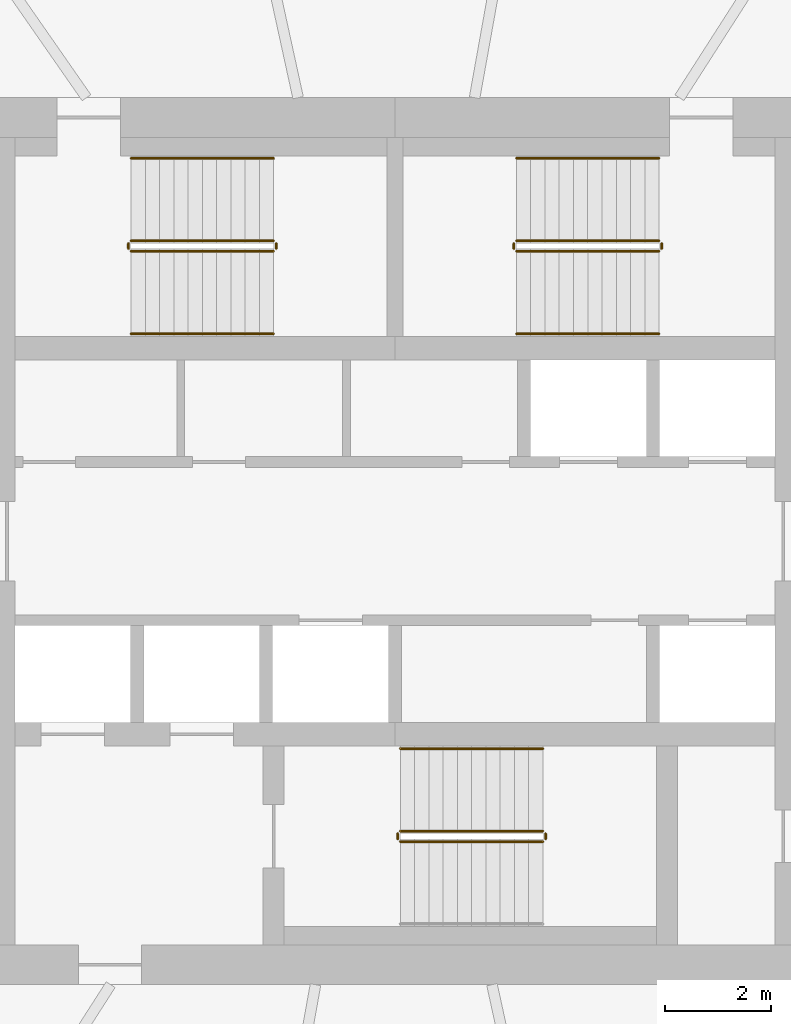
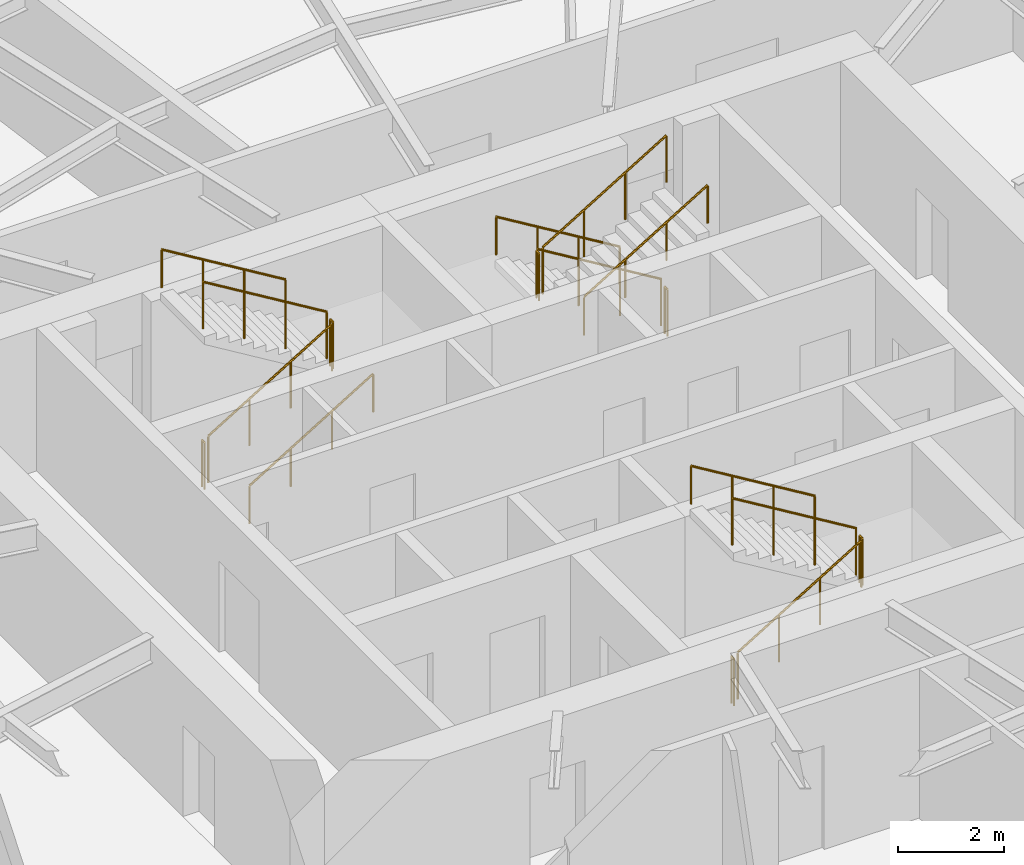
# One storey, part 13 of 14: 17 railings.
"""IFC4 building model written with IfcOpenShell, lengths in metres."""

from ifc_helpers import new_model, si_unit, direction, frame, origin, origin_2d, place, context, subcontext, project, spatial, circle, extrude, material, type_object, element, save


model = new_model("IFC4")

# Units and contexts
model_context = context("Model", 3, precision=1e-05, world=origin(), true_north=direction((0.0, 1.0)))
body_context = subcontext(model_context, "Body", "Model", "MODEL_VIEW")
ifc_project = project(units=[si_unit("LENGTHUNIT", "METRE"), si_unit("AREAUNIT", "SQUARE_METRE"), si_unit("VOLUMEUNIT", "CUBIC_METRE"), si_unit("PLANEANGLEUNIT", "RADIAN"), si_unit("MASSUNIT", "GRAM", prefix="KILO")], contexts=[model_context])

# Site, building, storey
site_placement = place(None, origin())
site = spatial("IfcSite", under=ifc_project, at=site_placement, CompositionType="ELEMENT")
building_placement = place(site_placement, origin())
building = spatial("IfcBuilding", under=site, at=building_placement, Name="Vermilion Reach Broadcast Tower", CompositionType="ELEMENT")
storey_placement = place(building_placement, frame((0.0, 0.0, 202.89990234375)))
storey = spatial("IfcBuildingStorey", under=building, at=storey_placement, Name="L49", CompositionType="ELEMENT", Elevation=202.89990234375)

# Railings
ifc_material_1 = material(Name="Stainless steel", Category="steel")
railing_type_1 = type_object("IfcRailingType", Name="Stair guard 1100", PredefinedType="GUARDRAIL", material=ifc_material_1)
railing_1_placement = place(storey_placement, frame((-11.0, 5.489990234375, 0.163818359375)))
element("IfcRailing", 1, at=railing_1_placement, inside=storey, type_object=railing_type_1, Name="L49 ST1 stair guard 1", PredefinedType="GUARDRAIL", context=body_context, shape_type="SweptSolid", body=[
    extrude(circle(Radius=0.02392578125, at=origin_2d()), frame((0.0, 0.0, 1.076171875), z_axis=(0.855212373127, 0.0, 0.518277721738), x_axis=(0.0, 1.0, 0.0)), (0.0, 0.0, 1.0), 3.156982421875),
    extrude(circle(Radius=0.02099609375, at=origin_2d()), origin(), (0.0, 0.0, 1.0), 1.052001953125),
    extrude(circle(Radius=0.02099609375, at=origin_2d()), frame((0.89990234375, 0.0, 0.54541015625)), (0.0, 0.0, 1.0), 1.052001953125),
    extrude(circle(Radius=0.02099609375, at=origin_2d()), frame((1.800048828125, 0.0, 1.0908203125)), (0.0, 0.0, 1.0), 1.052001953125),
    extrude(circle(Radius=0.02099609375, at=origin_2d()), frame((2.699951171875, 0.0, 1.63623046875)), (0.0, 0.0, 1.0), 1.052001953125),
])
railing_2_placement = place(storey_placement, frame((-8.25, 5.5400390625, 1.800048828125)))
element("IfcRailing", 2, at=railing_2_placement, inside=storey, type_object=railing_type_1, Name="L49 ST1 stair guard 2", PredefinedType="GUARDRAIL", context=body_context, shape_type="SweptSolid", body=[
    extrude(circle(Radius=0.02392578125, at=origin_2d()), frame((0.0, 0.0, 1.076171875), z_axis=(0.0, 1.0, 0.0), x_axis=(-1.0, 0.0, 0.0)), (0.0, 0.0, 1.0), 0.099853515625),
    extrude(circle(Radius=0.02099609375, at=origin_2d()), origin(), (0.0, 0.0, 1.0), 1.052001953125),
    extrude(circle(Radius=0.02099609375, at=origin_2d()), frame((0.0, 0.099853515625, 0.0)), (0.0, 0.0, 1.0), 1.052001953125),
])
railing_3_placement = place(storey_placement, frame((-8.300048828125, 5.68994140625, 1.963623046875)))
element("IfcRailing", 3, at=railing_3_placement, inside=storey, type_object=railing_type_1, Name="L49 ST1 stair guard 3", PredefinedType="GUARDRAIL", context=body_context, shape_type="SweptSolid", body=[
    extrude(circle(Radius=0.02392578125, at=origin_2d()), frame((0.0, 0.0, 1.076171875), z_axis=(-0.855178096276, 0.0, 0.518334277904), x_axis=(0.0, -1.0, 0.0)), (0.0, 0.0, 1.0), 3.1572265625),
    extrude(circle(Radius=0.02099609375, at=origin_2d()), origin(), (0.0, 0.0, 1.0), 1.052001953125),
    extrude(circle(Radius=0.02099609375, at=origin_2d()), frame((-0.89990234375, 0.0, 0.54541015625)), (0.0, 0.0, 1.0), 1.052001953125),
    extrude(circle(Radius=0.02099609375, at=origin_2d()), frame((-1.800048828125, 0.0, 1.091064453125)), (0.0, 0.0, 1.0), 1.052001953125),
    extrude(circle(Radius=0.02099609375, at=origin_2d()), frame((-2.699951171875, 0.0, 1.636474609375)), (0.0, 0.0, 1.0), 1.052001953125),
])
railing_4_placement = place(storey_placement, frame((-11.050048828125, 5.5400390625, 0.0)))
element("IfcRailing", 4, at=railing_4_placement, inside=storey, type_object=railing_type_1, Name="L49 ST1 stair guard 4", PredefinedType="GUARDRAIL", context=body_context, shape_type="SweptSolid", body=[
    extrude(circle(Radius=0.02392578125, at=origin_2d()), frame((0.0, 0.0, 1.076171875), z_axis=(0.0, 1.0, 0.0), x_axis=(-1.0, 0.0, 0.0)), (0.0, 0.0, 1.0), 0.099853515625),
    extrude(circle(Radius=0.02099609375, at=origin_2d()), origin(), (0.0, 0.0, 1.0), 1.052001953125),
    extrude(circle(Radius=0.02099609375, at=origin_2d()), frame((0.0, 0.099853515625, 0.0)), (0.0, 0.0, 1.0), 1.052001953125),
])
railing_5_placement = place(storey_placement, frame((-1.0, 5.68994140625, 0.163818359375)))
element("IfcRailing", 5, at=railing_5_placement, inside=storey, type_object=railing_type_1, Name="L49 ST2 stair guard 1", PredefinedType="GUARDRAIL", context=body_context, shape_type="SweptSolid", body=[
    extrude(circle(Radius=0.02392578125, at=origin_2d()), frame((0.0, 0.0, 1.076171875), z_axis=(-0.855212373127, 0.0, 0.518277721738), x_axis=(0.0, -1.0, 0.0)), (0.0, 0.0, 1.0), 3.156982421875),
    extrude(circle(Radius=0.02099609375, at=origin_2d()), origin(), (0.0, 0.0, 1.0), 1.052001953125),
    extrude(circle(Radius=0.02099609375, at=origin_2d()), frame((-0.89990234375, 0.0, 0.54541015625)), (0.0, 0.0, 1.0), 1.052001953125),
    extrude(circle(Radius=0.02099609375, at=origin_2d()), frame((-1.800048828125, 0.0, 1.0908203125)), (0.0, 0.0, 1.0), 1.052001953125),
    extrude(circle(Radius=0.02099609375, at=origin_2d()), frame((-2.699951171875, 0.0, 1.63623046875)), (0.0, 0.0, 1.0), 1.052001953125),
])
railing_6_placement = place(storey_placement, frame((-3.75, 5.639892578125, 1.800048828125)))
element("IfcRailing", 6, at=railing_6_placement, inside=storey, type_object=railing_type_1, Name="L49 ST2 stair guard 2", PredefinedType="GUARDRAIL", context=body_context, shape_type="SweptSolid", body=[
    extrude(circle(Radius=0.02392578125, at=origin_2d()), frame((0.0, 0.0, 1.076171875), z_axis=(0.0, -1.0, 0.0), x_axis=(1.0, 0.0, 0.0)), (0.0, 0.0, 1.0), 0.099853515625),
    extrude(circle(Radius=0.02099609375, at=origin_2d()), origin(), (0.0, 0.0, 1.0), 1.052001953125),
    extrude(circle(Radius=0.02099609375, at=origin_2d()), frame((0.0, -0.099853515625, 0.0)), (0.0, 0.0, 1.0), 1.052001953125),
])
railing_7_placement = place(storey_placement, frame((-3.699951171875, 5.489990234375, 1.963623046875)))
element("IfcRailing", 7, at=railing_7_placement, inside=storey, type_object=railing_type_1, Name="L49 ST2 stair guard 3", PredefinedType="GUARDRAIL", context=body_context, shape_type="SweptSolid", body=[
    extrude(circle(Radius=0.02392578125, at=origin_2d()), frame((0.0, 0.0, 1.076171875), z_axis=(0.855178096276, 0.0, 0.518334277904), x_axis=(0.0, 1.0, 0.0)), (0.0, 0.0, 1.0), 3.1572265625),
    extrude(circle(Radius=0.02099609375, at=origin_2d()), origin(), (0.0, 0.0, 1.0), 1.052001953125),
    extrude(circle(Radius=0.02099609375, at=origin_2d()), frame((0.89990234375, 0.0, 0.54541015625)), (0.0, 0.0, 1.0), 1.052001953125),
    extrude(circle(Radius=0.02099609375, at=origin_2d()), frame((1.800048828125, 0.0, 1.091064453125)), (0.0, 0.0, 1.0), 1.052001953125),
    extrude(circle(Radius=0.02099609375, at=origin_2d()), frame((2.699951171875, 0.0, 1.636474609375)), (0.0, 0.0, 1.0), 1.052001953125),
])
railing_8_placement = place(storey_placement, frame((-0.949951171875, 5.639892578125, 0.0)))
element("IfcRailing", 8, at=railing_8_placement, inside=storey, type_object=railing_type_1, Name="L49 ST2 stair guard 4", PredefinedType="GUARDRAIL", context=body_context, shape_type="SweptSolid", body=[
    extrude(circle(Radius=0.02392578125, at=origin_2d()), frame((0.0, 0.0, 1.076171875), z_axis=(0.0, -1.0, 0.0), x_axis=(1.0, 0.0, 0.0)), (0.0, 0.0, 1.0), 0.099853515625),
    extrude(circle(Radius=0.02099609375, at=origin_2d()), origin(), (0.0, 0.0, 1.0), 1.052001953125),
    extrude(circle(Radius=0.02099609375, at=origin_2d()), frame((0.0, -0.099853515625, 0.0)), (0.0, 0.0, 1.0), 1.052001953125),
])
railing_9_placement = place(storey_placement, frame((-5.89990234375, -5.68994140625, 0.163818359375)))
element("IfcRailing", 9, at=railing_9_placement, inside=storey, type_object=railing_type_1, Name="L49 ST3 stair guard 1", PredefinedType="GUARDRAIL", context=body_context, shape_type="SweptSolid", body=[
    extrude(circle(Radius=0.02392578125, at=origin_2d()), frame((0.0, 0.0, 1.076171875), z_axis=(0.855212373127, 0.0, 0.518277721738), x_axis=(0.0, 1.0, 0.0)), (0.0, 0.0, 1.0), 3.156982421875),
    extrude(circle(Radius=0.02099609375, at=origin_2d()), origin(), (0.0, 0.0, 1.0), 1.052001953125),
    extrude(circle(Radius=0.02099609375, at=origin_2d()), frame((0.89990234375, 0.0, 0.54541015625)), (0.0, 0.0, 1.0), 1.052001953125),
    extrude(circle(Radius=0.02099609375, at=origin_2d()), frame((1.800048828125, 0.0, 1.0908203125)), (0.0, 0.0, 1.0), 1.052001953125),
    extrude(circle(Radius=0.02099609375, at=origin_2d()), frame((2.699951171875, 0.0, 1.63623046875)), (0.0, 0.0, 1.0), 1.052001953125),
])
railing_10_placement = place(storey_placement, frame((-3.14990234375, -5.639892578125, 1.800048828125)))
element("IfcRailing", 10, at=railing_10_placement, inside=storey, type_object=railing_type_1, Name="L49 ST3 stair guard 2", PredefinedType="GUARDRAIL", context=body_context, shape_type="SweptSolid", body=[
    extrude(circle(Radius=0.02392578125, at=origin_2d()), frame((0.0, 0.0, 1.076171875), z_axis=(0.0, 1.0, 0.0), x_axis=(-1.0, 0.0, 0.0)), (0.0, 0.0, 1.0), 0.099853515625),
    extrude(circle(Radius=0.02099609375, at=origin_2d()), origin(), (0.0, 0.0, 1.0), 1.052001953125),
    extrude(circle(Radius=0.02099609375, at=origin_2d()), frame((0.0, 0.099853515625, 0.0)), (0.0, 0.0, 1.0), 1.052001953125),
])
railing_11_placement = place(storey_placement, frame((-3.199951171875, -5.489990234375, 1.963623046875)))
element("IfcRailing", 11, at=railing_11_placement, inside=storey, type_object=railing_type_1, Name="L49 ST3 stair guard 3", PredefinedType="GUARDRAIL", context=body_context, shape_type="SweptSolid", body=[
    extrude(circle(Radius=0.02392578125, at=origin_2d()), frame((0.0, 0.0, 1.076171875), z_axis=(-0.855178096276, 0.0, 0.518334277904), x_axis=(0.0, -1.0, 0.0)), (0.0, 0.0, 1.0), 3.1572265625),
    extrude(circle(Radius=0.02099609375, at=origin_2d()), origin(), (0.0, 0.0, 1.0), 1.052001953125),
    extrude(circle(Radius=0.02099609375, at=origin_2d()), frame((-0.89990234375, 0.0, 0.54541015625)), (0.0, 0.0, 1.0), 1.052001953125),
    extrude(circle(Radius=0.02099609375, at=origin_2d()), frame((-1.800048828125, 0.0, 1.091064453125)), (0.0, 0.0, 1.0), 1.052001953125),
    extrude(circle(Radius=0.02099609375, at=origin_2d()), frame((-2.699951171875, 0.0, 1.636474609375)), (0.0, 0.0, 1.0), 1.052001953125),
])
railing_12_placement = place(storey_placement, frame((-5.949951171875, -5.639892578125, 0.0)))
element("IfcRailing", 12, at=railing_12_placement, inside=storey, type_object=railing_type_1, Name="L49 ST3 stair guard 4", PredefinedType="GUARDRAIL", context=body_context, shape_type="SweptSolid", body=[
    extrude(circle(Radius=0.02392578125, at=origin_2d()), frame((0.0, 0.0, 1.076171875), z_axis=(0.0, 1.0, 0.0), x_axis=(-1.0, 0.0, 0.0)), (0.0, 0.0, 1.0), 0.099853515625),
    extrude(circle(Radius=0.02099609375, at=origin_2d()), origin(), (0.0, 0.0, 1.0), 1.052001953125),
    extrude(circle(Radius=0.02099609375, at=origin_2d()), frame((0.0, 0.099853515625, 0.0)), (0.0, 0.0, 1.0), 1.052001953125),
])
ifc_material_2 = material(Name="Stainless steel", Category="steel")
railing_type_2 = type_object("IfcRailingType", Name="Stair handrail", PredefinedType="HANDRAIL", material=ifc_material_2)
railing_13_placement = place(storey_placement, frame((-11.0, 3.929931640625, 0.163818359375)))
element("IfcRailing", 13, at=railing_13_placement, inside=storey, type_object=railing_type_2, Name="L49 ST1 stair handrail 1", PredefinedType="HANDRAIL", context=body_context, shape_type="SweptSolid", body=[
    extrude(circle(Radius=0.02392578125, at=origin_2d()), frame((0.0, 0.0, 0.8759765625), z_axis=(0.855212373127, 0.0, 0.518277721738), x_axis=(0.0, 1.0, 0.0)), (0.0, 0.0, 1.0), 3.156982421875),
    extrude(circle(Radius=0.02099609375, at=origin_2d()), origin(), (0.0, 0.0, 1.0), 0.851806640625),
    extrude(circle(Radius=0.02099609375, at=origin_2d()), frame((0.89990234375, 0.0, 0.54541015625)), (0.0, 0.0, 1.0), 0.851806640625),
    extrude(circle(Radius=0.02099609375, at=origin_2d()), frame((1.800048828125, 0.0, 1.0908203125)), (0.0, 0.0, 1.0), 0.851806640625),
    extrude(circle(Radius=0.02099609375, at=origin_2d()), frame((2.699951171875, 0.0, 1.63623046875)), (0.0, 0.0, 1.0), 0.851806640625),
])
railing_14_placement = place(storey_placement, frame((-8.300048828125, 7.25, 1.963623046875)))
element("IfcRailing", 14, at=railing_14_placement, inside=storey, type_object=railing_type_2, Name="L49 ST1 stair handrail 2", PredefinedType="HANDRAIL", context=body_context, shape_type="SweptSolid", body=[
    extrude(circle(Radius=0.02392578125, at=origin_2d()), frame((0.0, 0.0, 0.8759765625), z_axis=(-0.855178096276, 0.0, 0.518334277904), x_axis=(0.0, -1.0, 0.0)), (0.0, 0.0, 1.0), 3.1572265625),
    extrude(circle(Radius=0.02099609375, at=origin_2d()), origin(), (0.0, 0.0, 1.0), 0.851806640625),
    extrude(circle(Radius=0.02099609375, at=origin_2d()), frame((-0.89990234375, 0.0, 0.54541015625)), (0.0, 0.0, 1.0), 0.851806640625),
    extrude(circle(Radius=0.02099609375, at=origin_2d()), frame((-1.800048828125, 0.0, 1.091064453125)), (0.0, 0.0, 1.0), 0.851806640625),
    extrude(circle(Radius=0.02099609375, at=origin_2d()), frame((-2.699951171875, 0.0, 1.636474609375)), (0.0, 0.0, 1.0), 0.851806640625),
])
railing_15_placement = place(storey_placement, frame((-1.0, 7.25, 0.163818359375)))
element("IfcRailing", 15, at=railing_15_placement, inside=storey, type_object=railing_type_2, Name="L49 ST2 stair handrail 1", PredefinedType="HANDRAIL", context=body_context, shape_type="SweptSolid", body=[
    extrude(circle(Radius=0.02392578125, at=origin_2d()), frame((0.0, 0.0, 0.8759765625), z_axis=(-0.855212373127, 0.0, 0.518277721738), x_axis=(0.0, -1.0, 0.0)), (0.0, 0.0, 1.0), 3.156982421875),
    extrude(circle(Radius=0.02099609375, at=origin_2d()), origin(), (0.0, 0.0, 1.0), 0.851806640625),
    extrude(circle(Radius=0.02099609375, at=origin_2d()), frame((-0.89990234375, 0.0, 0.54541015625)), (0.0, 0.0, 1.0), 0.851806640625),
    extrude(circle(Radius=0.02099609375, at=origin_2d()), frame((-1.800048828125, 0.0, 1.0908203125)), (0.0, 0.0, 1.0), 0.851806640625),
    extrude(circle(Radius=0.02099609375, at=origin_2d()), frame((-2.699951171875, 0.0, 1.63623046875)), (0.0, 0.0, 1.0), 0.851806640625),
])
railing_16_placement = place(storey_placement, frame((-3.699951171875, 3.929931640625, 1.963623046875)))
element("IfcRailing", 16, at=railing_16_placement, inside=storey, type_object=railing_type_2, Name="L49 ST2 stair handrail 2", PredefinedType="HANDRAIL", context=body_context, shape_type="SweptSolid", body=[
    extrude(circle(Radius=0.02392578125, at=origin_2d()), frame((0.0, 0.0, 0.8759765625), z_axis=(0.855178096276, 0.0, 0.518334277904), x_axis=(0.0, 1.0, 0.0)), (0.0, 0.0, 1.0), 3.1572265625),
    extrude(circle(Radius=0.02099609375, at=origin_2d()), origin(), (0.0, 0.0, 1.0), 0.851806640625),
    extrude(circle(Radius=0.02099609375, at=origin_2d()), frame((0.89990234375, 0.0, 0.54541015625)), (0.0, 0.0, 1.0), 0.851806640625),
    extrude(circle(Radius=0.02099609375, at=origin_2d()), frame((1.800048828125, 0.0, 1.091064453125)), (0.0, 0.0, 1.0), 0.851806640625),
    extrude(circle(Radius=0.02099609375, at=origin_2d()), frame((2.699951171875, 0.0, 1.636474609375)), (0.0, 0.0, 1.0), 0.851806640625),
])
railing_17_placement = place(storey_placement, frame((-3.199951171875, -3.929931640625, 1.963623046875)))
element("IfcRailing", 17, at=railing_17_placement, inside=storey, type_object=railing_type_2, Name="L49 ST3 stair handrail 2", PredefinedType="HANDRAIL", context=body_context, shape_type="SweptSolid", body=[
    extrude(circle(Radius=0.02392578125, at=origin_2d()), frame((0.0, 0.0, 0.8759765625), z_axis=(-0.855178096276, 0.0, 0.518334277904), x_axis=(0.0, -1.0, 0.0)), (0.0, 0.0, 1.0), 3.1572265625),
    extrude(circle(Radius=0.02099609375, at=origin_2d()), origin(), (0.0, 0.0, 1.0), 0.851806640625),
    extrude(circle(Radius=0.02099609375, at=origin_2d()), frame((-0.89990234375, 0.0, 0.54541015625)), (0.0, 0.0, 1.0), 0.851806640625),
    extrude(circle(Radius=0.02099609375, at=origin_2d()), frame((-1.800048828125, 0.0, 1.091064453125)), (0.0, 0.0, 1.0), 0.851806640625),
    extrude(circle(Radius=0.02099609375, at=origin_2d()), frame((-2.699951171875, 0.0, 1.636474609375)), (0.0, 0.0, 1.0), 0.851806640625),
])

save(model, "model.ifc")
